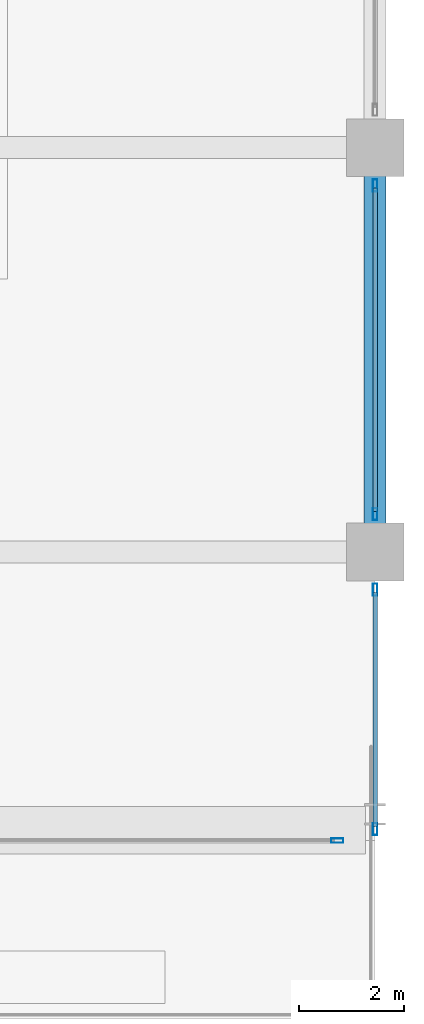
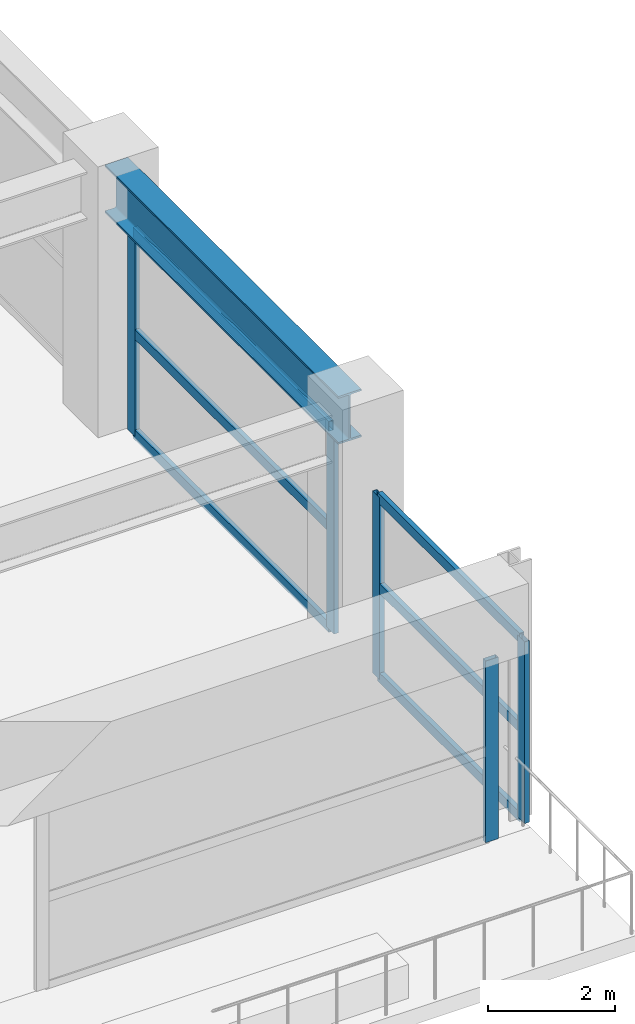
# One storey, part 27 of 43: 11 members, 1 beam, 3 elements without a shape of their own.
"""IFC4 building model written with IfcOpenShell, lengths in metres."""

from ifc_helpers import new_model, si_unit, direction, frame, origin, origin_2d, place, context, subcontext, project, spatial, hollow_rectangle, i_section, extrude, material, material_profile, profile_set, type_object, element, aggregate, save


model = new_model("IFC4")

# Units and contexts
model_context = context("Model", 3, precision=1e-05, world=origin(), true_north=direction((0.0, 1.0)))
body_context = subcontext(model_context, "Body", "Model", "MODEL_VIEW")
ifc_project = project(units=[si_unit("LENGTHUNIT", "METRE"), si_unit("AREAUNIT", "SQUARE_METRE"), si_unit("VOLUMEUNIT", "CUBIC_METRE"), si_unit("PLANEANGLEUNIT", "RADIAN"), si_unit("MASSUNIT", "GRAM", prefix="KILO")], contexts=[model_context])

# Site, building, storey
site_placement = place(None, origin())
site = spatial("IfcSite", under=ifc_project, at=site_placement, CompositionType="ELEMENT")
building_placement = place(site_placement, origin())
building = spatial("IfcBuilding", under=site, at=building_placement, Name="Kovane Verandah Tower", CompositionType="ELEMENT")
storey_placement = place(building_placement, frame((0.0, 0.0, 11.199951171875)))
storey = spatial("IfcBuildingStorey", under=building, at=storey_placement, Name="L02", CompositionType="ELEMENT", Elevation=11.199951171875)

# Beam
ifc_material_1 = material(Name="Steel S460", Category="steel")
ifc_material_profile_1 = material_profile(ifc_material_1, i_section(OverallWidth=0.42041015625, OverallDepth=0.9208984375, WebThickness=0.021484375, FlangeThickness=0.03662109375, FilletRadius=0.024169921875, at=origin_2d()), Name="UB914x419x388")
ifc_profile_set_1 = profile_set([ifc_material_profile_1], Name="Steel S460")
beam_type = type_object("IfcBeamType", Name="BM-UB914x388", PredefinedType="BEAM", material=ifc_profile_set_1)
beam_placement = place(storey_placement, frame((82.0, 10.97998046875, 4.439453125), z_axis=(0.0, 1.0, 0.0), x_axis=(-1.0, 0.0, 0.0)))
element("IfcBeam", 1, at=beam_placement, inside=storey, type_object=beam_type, Name="L02 Podium Grid Girder Y40", PredefinedType="BEAM", context=body_context, shape_type="SweptSolid", body=[
    extrude(i_section(OverallWidth=0.42041015625, OverallDepth=0.9208984375, WebThickness=0.021484375, FlangeThickness=0.03662109375, FilletRadius=0.024169921875, at=origin_2d()), origin(), (0.0, 0.0, 1.0), 7.340087890625),
])

# Curtain wall, member
ifc_material_2 = material(Name="Champagne Anodised Aluminium Frame with Low-E Clear Laminated Glass", Category="aluminium")
curtain_wall_type = type_object("IfcCurtainWallType", Name="CW-SYS-01-POD", PredefinedType="NOTDEFINED", material=ifc_material_2)
curtain_wall_1_placement = place(storey_placement, origin())
curtain_wall_1 = element("IfcCurtainWall", 2, at=curtain_wall_1_placement, inside=storey, type_object=curtain_wall_type, Name="L02 South Podium Curtain Wall Bay 7.1", PredefinedType="NOTDEFINED")
ifc_material_3 = material(Name="Champagne Anodised Aluminium 6063-T6", Category="aluminium")
ifc_material_profile_2 = material_profile(ifc_material_3, hollow_rectangle(XDim=0.0849609375, YDim=0.22998046875, WallThickness=0.00390625, at=origin_2d()), Name="AL85x230x4")
ifc_profile_set_2 = profile_set([ifc_material_profile_2], Name="Champagne Anodised Aluminium 6063-T6")
member_type_1 = type_object("IfcMemberType", Name="CW-MUL-85x230", PredefinedType="MULLION", material=ifc_profile_set_2)
member_1_placement = place(storey_placement, frame((81.280029296875, 5.300048828125, 0.02001953125), z_axis=(0.0, 0.0, 1.0), x_axis=(0.0, -1.0, 0.0)))
member_1 = element("IfcMember", 3, at=member_1_placement, type_object=member_type_1, Name="L02 South Podium Curtain Wall Bay 7.1 Mullion 2", PredefinedType="MULLION", context=body_context, shape_type="SweptSolid", body=[
    extrude(hollow_rectangle(XDim=0.0849609375, YDim=0.22998046875, WallThickness=0.00390625, at=origin_2d()), origin(), (0.0, 0.0, 1.0), 3.489990234375),
])
aggregate(curtain_wall_1, [member_1])

# Curtain wall, members
curtain_wall_2_placement = place(storey_placement, origin())
curtain_wall_2 = element("IfcCurtainWall", 4, at=curtain_wall_2_placement, inside=storey, type_object=curtain_wall_type, Name="L02 East Podium Curtain Wall Bay 1", PredefinedType="NOTDEFINED")
member_2_placement = place(storey_placement, frame((82.0, 5.52001953125, 0.02001953125), z_axis=(0.0, 0.0, 1.0), x_axis=(1.0, 0.0, 0.0)))
member_2 = element("IfcMember", 5, at=member_2_placement, type_object=member_type_1, Name="L02 East Podium Curtain Wall Bay 1 Mullion 1", PredefinedType="MULLION", context=body_context, shape_type="SweptSolid", body=[
    extrude(hollow_rectangle(XDim=0.0849609375, YDim=0.22998046875, WallThickness=0.00390625, at=origin_2d()), origin(), (0.0, 0.0, 1.0), 3.489990234375),
])
member_3_placement = place(storey_placement, frame((82.0, 10.080078125, 0.02001953125), z_axis=(0.0, 0.0, 1.0), x_axis=(1.0, 0.0, 0.0)))
member_3 = element("IfcMember", 6, at=member_3_placement, type_object=member_type_1, Name="L02 East Podium Curtain Wall Bay 1 Mullion 2", PredefinedType="MULLION", context=body_context, shape_type="SweptSolid", body=[
    extrude(hollow_rectangle(XDim=0.0849609375, YDim=0.22998046875, WallThickness=0.00390625, at=origin_2d()), origin(), (0.0, 0.0, 1.0), 3.489990234375),
])

curtain_wall_3_placement = place(storey_placement, origin())
curtain_wall_3 = element("IfcCurtainWall", 7, at=curtain_wall_3_placement, inside=storey, type_object=curtain_wall_type, Name="L02 East Podium Curtain Wall Bay 2", PredefinedType="NOTDEFINED")
member_4_placement = place(storey_placement, frame((82.0, 11.52001953125, 0.02001953125), z_axis=(0.0, 0.0, 1.0), x_axis=(1.0, 0.0, 0.0)))
member_4 = element("IfcMember", 8, at=member_4_placement, type_object=member_type_1, Name="L02 East Podium Curtain Wall Bay 2 Mullion 1", PredefinedType="MULLION", context=body_context, shape_type="SweptSolid", body=[
    extrude(hollow_rectangle(XDim=0.0849609375, YDim=0.22998046875, WallThickness=0.00390625, at=origin_2d()), origin(), (0.0, 0.0, 1.0), 3.9189453125),
])
member_5_placement = place(storey_placement, frame((82.0, 17.780029296875, 0.02001953125), z_axis=(0.0, 0.0, 1.0), x_axis=(1.0, 0.0, 0.0)))
member_5 = element("IfcMember", 9, at=member_5_placement, type_object=member_type_1, Name="L02 East Podium Curtain Wall Bay 2 Mullion 2", PredefinedType="MULLION", context=body_context, shape_type="SweptSolid", body=[
    extrude(hollow_rectangle(XDim=0.0849609375, YDim=0.22998046875, WallThickness=0.00390625, at=origin_2d()), origin(), (0.0, 0.0, 1.0), 3.9189453125),
])

# Member
ifc_material_profile_3 = material_profile(ifc_material_3, hollow_rectangle(XDim=0.0849609375, YDim=0.18994140625, WallThickness=0.00390625, at=origin_2d()), Name="AL85x190x4")
ifc_profile_set_3 = profile_set([ifc_material_profile_3], Name="Champagne Anodised Aluminium 6063-T6")
member_type_2 = type_object("IfcMemberType", Name="CW-TRN-85x190", PredefinedType="USERDEFINED", material=ifc_profile_set_3)
member_6_placement = place(storey_placement, frame((82.0, 5.570068359375, 0.050048828125), z_axis=(0.0, 1.0, 0.0), x_axis=(-1.0, 0.0, 0.0)))
member_6 = element("IfcMember", 10, at=member_6_placement, type_object=member_type_2, Name="L02 East Podium Curtain Wall Bay 1 Transom TB Bay 1", ObjectType="TRANSOM", PredefinedType="USERDEFINED", context=body_context, shape_type="SweptSolid", body=[
    extrude(hollow_rectangle(XDim=0.0849609375, YDim=0.18994140625, WallThickness=0.00390625, at=origin_2d()), origin(), (0.0, 0.0, 1.0), 4.4599609375),
])

member_7_placement = place(storey_placement, frame((82.0, 5.570068359375, 1.76513671875), z_axis=(0.0, 1.0, 0.0), x_axis=(-1.0, 0.0, 0.0)))
member_7 = element("IfcMember", 11, at=member_7_placement, type_object=member_type_2, Name="L02 East Podium Curtain Wall Bay 1 Transom TM Bay 1", ObjectType="TRANSOM", PredefinedType="USERDEFINED", context=body_context, shape_type="SweptSolid", body=[
    extrude(hollow_rectangle(XDim=0.0849609375, YDim=0.18994140625, WallThickness=0.00390625, at=origin_2d()), origin(), (0.0, 0.0, 1.0), 4.4599609375),
])

member_8_placement = place(storey_placement, frame((82.0, 5.570068359375, 3.47998046875), z_axis=(0.0, 1.0, 0.0), x_axis=(-1.0, 0.0, 0.0)))
member_8 = element("IfcMember", 12, at=member_8_placement, type_object=member_type_2, Name="L02 East Podium Curtain Wall Bay 1 Transom TT Bay 1", ObjectType="TRANSOM", PredefinedType="USERDEFINED", context=body_context, shape_type="SweptSolid", body=[
    extrude(hollow_rectangle(XDim=0.0849609375, YDim=0.18994140625, WallThickness=0.00390625, at=origin_2d()), origin(), (0.0, 0.0, 1.0), 4.4599609375),
])

aggregate(curtain_wall_2, [member_2, member_3, member_6, member_7, member_8])

member_9_placement = place(storey_placement, frame((82.0, 11.570068359375, 0.050048828125), z_axis=(0.0, 1.0, 0.0), x_axis=(-1.0, 0.0, 0.0)))
member_9 = element("IfcMember", 13, at=member_9_placement, type_object=member_type_2, Name="L02 East Podium Curtain Wall Bay 2 Transom TB Bay 1", ObjectType="TRANSOM", PredefinedType="USERDEFINED", context=body_context, shape_type="SweptSolid", body=[
    extrude(hollow_rectangle(XDim=0.0849609375, YDim=0.18994140625, WallThickness=0.00390625, at=origin_2d()), origin(), (0.0, 0.0, 1.0), 6.159912109375),
])

member_10_placement = place(storey_placement, frame((82.0, 11.570068359375, 1.9794921875), z_axis=(0.0, 1.0, 0.0), x_axis=(-1.0, 0.0, 0.0)))
member_10 = element("IfcMember", 14, at=member_10_placement, type_object=member_type_2, Name="L02 East Podium Curtain Wall Bay 2 Transom TM Bay 1", ObjectType="TRANSOM", PredefinedType="USERDEFINED", context=body_context, shape_type="SweptSolid", body=[
    extrude(hollow_rectangle(XDim=0.0849609375, YDim=0.18994140625, WallThickness=0.00390625, at=origin_2d()), origin(), (0.0, 0.0, 1.0), 6.159912109375),
])

member_11_placement = place(storey_placement, frame((82.0, 11.570068359375, 3.908935546875), z_axis=(0.0, 1.0, 0.0), x_axis=(-1.0, 0.0, 0.0)))
member_11 = element("IfcMember", 15, at=member_11_placement, type_object=member_type_2, Name="L02 East Podium Curtain Wall Bay 2 Transom TT Bay 1", ObjectType="TRANSOM", PredefinedType="USERDEFINED", context=body_context, shape_type="SweptSolid", body=[
    extrude(hollow_rectangle(XDim=0.0849609375, YDim=0.18994140625, WallThickness=0.00390625, at=origin_2d()), origin(), (0.0, 0.0, 1.0), 6.159912109375),
])

aggregate(curtain_wall_3, [member_4, member_5, member_9, member_10, member_11])

save(model, "model.ifc")
